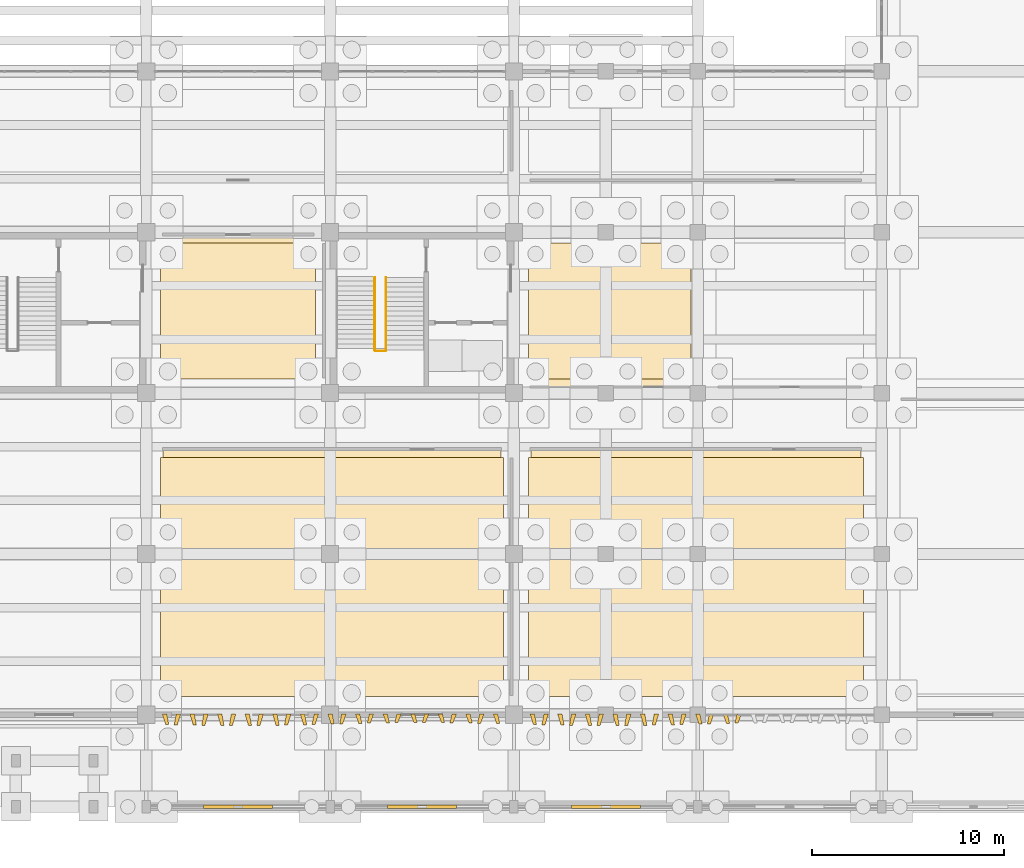
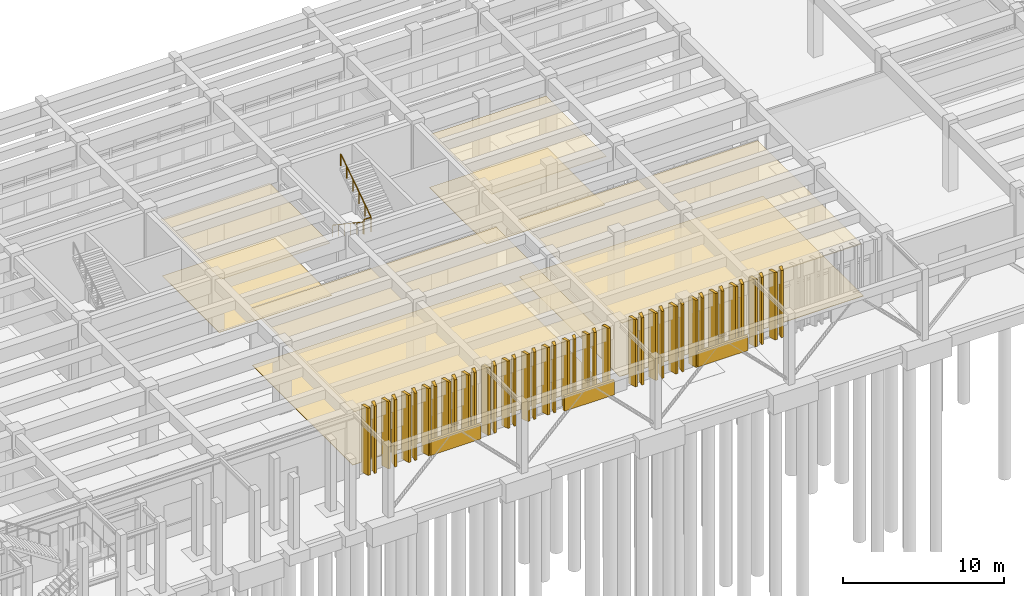
# One storey, part 92 of 102: 49 coverings, 3 railings, 3 shading devices.
"""IFC4 building model written with IfcOpenShell, lengths in metres."""

from ifc_helpers import new_model, si_unit, direction, frame, origin, origin_2d, place, context, subcontext, project, spatial, polyline, rectangle, circle, outline, extrude, material, layer, layer_set, type_object, element, save


model = new_model("IFC4")

# Units and contexts
model_context = context("Model", 3, precision=1e-05, world=origin(), true_north=direction((0.0, 1.0)))
body_context = subcontext(model_context, "Body", "Model", "MODEL_VIEW")
ifc_project = project(units=[si_unit("LENGTHUNIT", "METRE"), si_unit("AREAUNIT", "SQUARE_METRE"), si_unit("VOLUMEUNIT", "CUBIC_METRE"), si_unit("PLANEANGLEUNIT", "RADIAN"), si_unit("MASSUNIT", "GRAM", prefix="KILO")], contexts=[model_context])

# Site, building, storey
site_placement = place(None, origin())
site = spatial("IfcSite", under=ifc_project, at=site_placement, CompositionType="ELEMENT")
building_placement = place(site_placement, origin())
building = spatial("IfcBuilding", under=site, at=building_placement, Name="Kolvemor Railside Polytechnic", CompositionType="ELEMENT")
storey_placement = place(building_placement, origin())
storey = spatial("IfcBuildingStorey", under=building, at=storey_placement, Name="L00", CompositionType="ELEMENT", Elevation=0.0)

# Coverings
ifc_material_1 = material(Name="Perforated acoustic mineral-fibre and timber-slat ceiling", Category="wood")
ifc_layer_1 = layer(ifc_material_1, 0.034912109375, Name="COV-CEIL-3")
ifc_layer_set_1 = layer_set([ifc_layer_1], Name="Perforated acoustic mineral-fibre and timber-slat ceiling")
covering_type_1 = type_object("IfcCoveringType", Name="COV-CEIL-3", PredefinedType="CEILING", material=ifc_layer_set_1)
covering_1_placement = place(storey_placement, frame((0.0, 0.0, 4.0048828125)))
element("IfcCovering", 1, at=covering_1_placement, inside=storey, type_object=covering_type_1, Name="Industrial Prototyping Design Studio Acoustic Ceiling", PredefinedType="CEILING", context=body_context, shape_type="SweptSolid", body=[
    extrude(outline(polyline([(96.8798828125, 5.75), (114.52001953125, 5.75), (114.52001953125, 18.679931640625), (96.8798828125, 18.679931640625), (96.8798828125, 5.75)])), origin(), (0.0, 0.0, 1.0), 0.03515625),
])
covering_2_placement = place(storey_placement, frame((0.0, 0.0, 4.0048828125)))
element("IfcCovering", 2, at=covering_2_placement, inside=storey, type_object=covering_type_1, Name="Environmental Water Quality Laboratory Acoustic Ceiling", PredefinedType="CEILING", context=body_context, shape_type="SweptSolid", body=[
    extrude(outline(polyline([(96.8798828125, 22.35009765625), (104.719970703125, 22.35009765625), (104.719970703125, 29.8798828125), (96.8798828125, 29.8798828125), (96.8798828125, 22.35009765625)])), origin(), (0.0, 0.0, 1.0), 0.03515625),
])
ifc_material_2 = material(Name="Perforated acoustic mineral-fibre and timber-slat ceiling", Category="wood")
ifc_layer_2 = layer(ifc_material_2, 0.0400390625, Name="COV-CEIL-4")
ifc_layer_set_2 = layer_set([ifc_layer_2], Name="Perforated acoustic mineral-fibre and timber-slat ceiling")
covering_type_2 = type_object("IfcCoveringType", Name="COV-CEIL-4", PredefinedType="CEILING", material=ifc_layer_set_2)
covering_3_placement = place(storey_placement, frame((0.0, 0.0, 4.0)))
element("IfcCovering", 3, at=covering_3_placement, inside=storey, type_object=covering_type_2, Name="Architectural Modelmaking Design Studio Acoustic Ceiling", PredefinedType="CEILING", context=body_context, shape_type="SweptSolid", body=[
    extrude(outline(polyline([(116.080078125, 5.75), (133.320068359375, 5.75), (133.320068359375, 18.679931640625), (116.080078125, 18.679931640625), (116.080078125, 5.75)])), origin(), (0.0, 0.0, 1.0), 0.0400390625),
])
covering_4_placement = place(storey_placement, frame((0.0, 0.0, 4.0)))
element("IfcCovering", 4, at=covering_4_placement, inside=storey, type_object=covering_type_2, Name="Main Stack Public WC L00 Acoustic Ceiling", PredefinedType="CEILING", context=body_context, shape_type="SweptSolid", body=[
    extrude(outline(polyline([(116.080078125, 21.919921875), (124.320068359375, 21.919921875), (124.320068359375, 29.449951171875), (116.080078125, 29.449951171875), (116.080078125, 21.919921875)])), origin(), (0.0, 0.0, 1.0), 0.0400390625),
])
ifc_material_3 = material(Name="Champagne-bronze PVDF-anodised marine aluminium 5052-H32", Category="aluminium")
ifc_layer_3 = layer(ifc_material_3, 0.179931640625, Name="COV-FIN-CHAMP")
ifc_layer_set_3 = layer_set([ifc_layer_3], Name="Champagne-bronze PVDF-anodised marine aluminium 5052-H32")
covering_type_3 = type_object("IfcCoveringType", Name="COV-FIN-CHAMP", PredefinedType="CLADDING", material=ifc_layer_set_3)
covering_5_placement = place(storey_placement, frame((0.0, 0.0, 0.02001953125)))
element("IfcCovering", 5, at=covering_5_placement, inside=storey, type_object=covering_type_3, Name="Pleated Solar Fin L00-0667", PredefinedType="CLADDING", context=body_context, shape_type="SweptSolid", body=[
    extrude(outline(polyline([(96.844970703125, 4.8349609375), (97.074951171875, 4.8349609375), (97.179931640625, 4.2900390625), (97.02001953125, 4.2900390625), (96.844970703125, 4.8349609375)])), origin(), (0.0, 0.0, 1.0), 5.10009765625),
])
covering_6_placement = place(storey_placement, frame((0.0, 0.0, 0.02001953125)))
element("IfcCovering", 6, at=covering_6_placement, inside=storey, type_object=covering_type_3, Name="Pleated Solar Fin L00-0668", PredefinedType="CLADDING", context=body_context, shape_type="SweptSolid", body=[
    extrude(outline(polyline([(97.56494140625, 4.8349609375), (97.794921875, 4.8349609375), (97.6201171875, 4.27294921875), (97.4599609375, 4.27294921875), (97.56494140625, 4.8349609375)])), origin(), (0.0, 0.0, 1.0), 5.10009765625),
])
covering_7_placement = place(storey_placement, frame((0.0, 0.0, 0.02001953125)))
element("IfcCovering", 7, at=covering_7_placement, inside=storey, type_object=covering_type_3, Name="Pleated Solar Fin L00-0669", PredefinedType="CLADDING", context=body_context, shape_type="SweptSolid", body=[
    extrude(outline(polyline([(98.284912109375, 4.8349609375), (98.514892578125, 4.8349609375), (98.6201171875, 4.258056640625), (98.4599609375, 4.258056640625), (98.284912109375, 4.8349609375)])), origin(), (0.0, 0.0, 1.0), 5.10009765625),
])
covering_8_placement = place(storey_placement, frame((0.0, 0.0, 0.02001953125)))
element("IfcCovering", 8, at=covering_8_placement, inside=storey, type_object=covering_type_3, Name="Pleated Solar Fin L00-0670", PredefinedType="CLADDING", context=body_context, shape_type="SweptSolid", body=[
    extrude(outline(polyline([(99.0048828125, 4.8349609375), (99.235107421875, 4.8349609375), (99.06005859375, 4.2470703125), (98.89990234375, 4.2470703125), (99.0048828125, 4.8349609375)])), origin(), (0.0, 0.0, 1.0), 5.10009765625),
])
covering_9_placement = place(storey_placement, frame((0.0, 0.0, 0.02001953125)))
element("IfcCovering", 9, at=covering_9_placement, inside=storey, type_object=covering_type_3, Name="Pleated Solar Fin L00-0671", PredefinedType="CLADDING", context=body_context, shape_type="SweptSolid", body=[
    extrude(outline(polyline([(99.72509765625, 4.8349609375), (99.955078125, 4.8349609375), (100.06005859375, 4.239013671875), (99.89990234375, 4.239013671875), (99.72509765625, 4.8349609375)])), origin(), (0.0, 0.0, 1.0), 5.10009765625),
])
covering_10_placement = place(storey_placement, frame((0.0, 0.0, 0.02001953125)))
element("IfcCovering", 10, at=covering_10_placement, inside=storey, type_object=covering_type_3, Name="Pleated Solar Fin L00-0672", PredefinedType="CLADDING", context=body_context, shape_type="SweptSolid", body=[
    extrude(outline(polyline([(100.445068359375, 4.8349609375), (100.675048828125, 4.8349609375), (100.5, 4.235107421875), (100.340087890625, 4.235107421875), (100.445068359375, 4.8349609375)])), origin(), (0.0, 0.0, 1.0), 5.10009765625),
])
covering_11_placement = place(storey_placement, frame((0.0, 0.0, 0.02001953125)))
element("IfcCovering", 11, at=covering_11_placement, inside=storey, type_object=covering_type_3, Name="Pleated Solar Fin L00-0673", PredefinedType="CLADDING", context=body_context, shape_type="SweptSolid", body=[
    extrude(outline(polyline([(101.1650390625, 4.8349609375), (101.39501953125, 4.8349609375), (101.5, 4.236083984375), (101.340087890625, 4.236083984375), (101.1650390625, 4.8349609375)])), origin(), (0.0, 0.0, 1.0), 5.10009765625),
])
covering_12_placement = place(storey_placement, frame((0.0, 0.0, 0.02001953125)))
element("IfcCovering", 12, at=covering_12_placement, inside=storey, type_object=covering_type_3, Name="Pleated Solar Fin L00-0674", PredefinedType="CLADDING", context=body_context, shape_type="SweptSolid", body=[
    extrude(outline(polyline([(101.885009765625, 4.8349609375), (102.114990234375, 4.8349609375), (101.93994140625, 4.240966796875), (101.780029296875, 4.240966796875), (101.885009765625, 4.8349609375)])), origin(), (0.0, 0.0, 1.0), 5.10009765625),
])
covering_13_placement = place(storey_placement, frame((0.0, 0.0, 0.02001953125)))
element("IfcCovering", 13, at=covering_13_placement, inside=storey, type_object=covering_type_3, Name="Pleated Solar Fin L00-0675", PredefinedType="CLADDING", context=body_context, shape_type="SweptSolid", body=[
    extrude(outline(polyline([(102.60498046875, 4.8349609375), (102.8349609375, 4.8349609375), (102.93994140625, 4.25), (102.780029296875, 4.25), (102.60498046875, 4.8349609375)])), origin(), (0.0, 0.0, 1.0), 5.10009765625),
])
covering_14_placement = place(storey_placement, frame((0.0, 0.0, 0.02001953125)))
element("IfcCovering", 14, at=covering_14_placement, inside=storey, type_object=covering_type_3, Name="Pleated Solar Fin L00-0676", PredefinedType="CLADDING", context=body_context, shape_type="SweptSolid", body=[
    extrude(outline(polyline([(103.324951171875, 4.8349609375), (103.554931640625, 4.8349609375), (103.3798828125, 4.262939453125), (103.219970703125, 4.262939453125), (103.324951171875, 4.8349609375)])), origin(), (0.0, 0.0, 1.0), 5.10009765625),
])
covering_15_placement = place(storey_placement, frame((0.0, 0.0, 0.02001953125)))
element("IfcCovering", 15, at=covering_15_placement, inside=storey, type_object=covering_type_3, Name="Pleated Solar Fin L00-0677", PredefinedType="CLADDING", context=body_context, shape_type="SweptSolid", body=[
    extrude(outline(polyline([(104.044921875, 4.8349609375), (104.27490234375, 4.8349609375), (104.3798828125, 4.279052734375), (104.219970703125, 4.279052734375), (104.044921875, 4.8349609375)])), origin(), (0.0, 0.0, 1.0), 5.10009765625),
])
covering_16_placement = place(storey_placement, frame((0.0, 0.0, 0.02001953125)))
element("IfcCovering", 16, at=covering_16_placement, inside=storey, type_object=covering_type_3, Name="Pleated Solar Fin L00-0678", PredefinedType="CLADDING", context=body_context, shape_type="SweptSolid", body=[
    extrude(outline(polyline([(104.764892578125, 4.8349609375), (104.9951171875, 4.8349609375), (104.820068359375, 4.2958984375), (104.659912109375, 4.2958984375), (104.764892578125, 4.8349609375)])), origin(), (0.0, 0.0, 1.0), 5.10009765625),
])
covering_17_placement = place(storey_placement, frame((0.0, 0.0, 0.02001953125)))
element("IfcCovering", 17, at=covering_17_placement, inside=storey, type_object=covering_type_3, Name="Pleated Solar Fin L00-0679", PredefinedType="CLADDING", context=body_context, shape_type="SweptSolid", body=[
    extrude(outline(polyline([(105.485107421875, 4.8349609375), (105.715087890625, 4.8349609375), (105.820068359375, 4.31494140625), (105.659912109375, 4.31494140625), (105.485107421875, 4.8349609375)])), origin(), (0.0, 0.0, 1.0), 5.10009765625),
])
covering_18_placement = place(storey_placement, frame((0.0, 0.0, 0.02001953125)))
element("IfcCovering", 18, at=covering_18_placement, inside=storey, type_object=covering_type_3, Name="Pleated Solar Fin L00-0680", PredefinedType="CLADDING", context=body_context, shape_type="SweptSolid", body=[
    extrude(outline(polyline([(106.205078125, 4.8349609375), (106.43505859375, 4.8349609375), (106.260009765625, 4.333984375), (106.10009765625, 4.333984375), (106.205078125, 4.8349609375)])), origin(), (0.0, 0.0, 1.0), 5.10009765625),
])
covering_19_placement = place(storey_placement, frame((0.0, 0.0, 0.02001953125)))
element("IfcCovering", 19, at=covering_19_placement, inside=storey, type_object=covering_type_3, Name="Pleated Solar Fin L00-0681", PredefinedType="CLADDING", context=body_context, shape_type="SweptSolid", body=[
    extrude(outline(polyline([(106.925048828125, 4.8349609375), (107.155029296875, 4.8349609375), (107.260009765625, 4.35107421875), (107.10009765625, 4.35107421875), (106.925048828125, 4.8349609375)])), origin(), (0.0, 0.0, 1.0), 5.10009765625),
])
covering_20_placement = place(storey_placement, frame((0.0, 0.0, 0.02001953125)))
element("IfcCovering", 20, at=covering_20_placement, inside=storey, type_object=covering_type_3, Name="Pleated Solar Fin L00-0682", PredefinedType="CLADDING", context=body_context, shape_type="SweptSolid", body=[
    extrude(outline(polyline([(107.64501953125, 4.8349609375), (107.875, 4.8349609375), (107.699951171875, 4.366943359375), (107.5400390625, 4.366943359375), (107.64501953125, 4.8349609375)])), origin(), (0.0, 0.0, 1.0), 5.10009765625),
])
covering_21_placement = place(storey_placement, frame((0.0, 0.0, 0.02001953125)))
element("IfcCovering", 21, at=covering_21_placement, inside=storey, type_object=covering_type_3, Name="Pleated Solar Fin L00-0683", PredefinedType="CLADDING", context=body_context, shape_type="SweptSolid", body=[
    extrude(outline(polyline([(108.364990234375, 4.8349609375), (108.594970703125, 4.8349609375), (108.699951171875, 4.3798828125), (108.5400390625, 4.3798828125), (108.364990234375, 4.8349609375)])), origin(), (0.0, 0.0, 1.0), 5.10009765625),
])
covering_22_placement = place(storey_placement, frame((0.0, 0.0, 0.02001953125)))
element("IfcCovering", 22, at=covering_22_placement, inside=storey, type_object=covering_type_3, Name="Pleated Solar Fin L00-0684", PredefinedType="CLADDING", context=body_context, shape_type="SweptSolid", body=[
    extrude(outline(polyline([(109.0849609375, 4.8349609375), (109.31494140625, 4.8349609375), (109.139892578125, 4.388916015625), (108.97998046875, 4.388916015625), (109.0849609375, 4.8349609375)])), origin(), (0.0, 0.0, 1.0), 5.10009765625),
])
covering_23_placement = place(storey_placement, frame((0.0, 0.0, 0.02001953125)))
element("IfcCovering", 23, at=covering_23_placement, inside=storey, type_object=covering_type_3, Name="Pleated Solar Fin L00-0685", PredefinedType="CLADDING", context=body_context, shape_type="SweptSolid", body=[
    extrude(outline(polyline([(109.804931640625, 4.8349609375), (110.034912109375, 4.8349609375), (110.139892578125, 4.39404296875), (109.97998046875, 4.39404296875), (109.804931640625, 4.8349609375)])), origin(), (0.0, 0.0, 1.0), 5.10009765625),
])
covering_24_placement = place(storey_placement, frame((0.0, 0.0, 0.02001953125)))
element("IfcCovering", 24, at=covering_24_placement, inside=storey, type_object=covering_type_3, Name="Pleated Solar Fin L00-0686", PredefinedType="CLADDING", context=body_context, shape_type="SweptSolid", body=[
    extrude(outline(polyline([(110.52490234375, 4.8349609375), (110.7548828125, 4.8349609375), (110.580078125, 4.39501953125), (110.419921875, 4.39501953125), (110.52490234375, 4.8349609375)])), origin(), (0.0, 0.0, 1.0), 5.10009765625),
])
covering_25_placement = place(storey_placement, frame((0.0, 0.0, 0.02001953125)))
element("IfcCovering", 25, at=covering_25_placement, inside=storey, type_object=covering_type_3, Name="Pleated Solar Fin L00-0687", PredefinedType="CLADDING", context=body_context, shape_type="SweptSolid", body=[
    extrude(outline(polyline([(111.2451171875, 4.8349609375), (111.47509765625, 4.8349609375), (111.580078125, 4.39111328125), (111.419921875, 4.39111328125), (111.2451171875, 4.8349609375)])), origin(), (0.0, 0.0, 1.0), 5.10009765625),
])
covering_26_placement = place(storey_placement, frame((0.0, 0.0, 0.02001953125)))
element("IfcCovering", 26, at=covering_26_placement, inside=storey, type_object=covering_type_3, Name="Pleated Solar Fin L00-0688", PredefinedType="CLADDING", context=body_context, shape_type="SweptSolid", body=[
    extrude(outline(polyline([(111.965087890625, 4.8349609375), (112.195068359375, 4.8349609375), (112.02001953125, 4.383056640625), (111.860107421875, 4.383056640625), (111.965087890625, 4.8349609375)])), origin(), (0.0, 0.0, 1.0), 5.10009765625),
])
covering_27_placement = place(storey_placement, frame((0.0, 0.0, 0.02001953125)))
element("IfcCovering", 27, at=covering_27_placement, inside=storey, type_object=covering_type_3, Name="Pleated Solar Fin L00-0689", PredefinedType="CLADDING", context=body_context, shape_type="SweptSolid", body=[
    extrude(outline(polyline([(112.68505859375, 4.8349609375), (112.9150390625, 4.8349609375), (113.02001953125, 4.3720703125), (112.860107421875, 4.3720703125), (112.68505859375, 4.8349609375)])), origin(), (0.0, 0.0, 1.0), 5.10009765625),
])
covering_28_placement = place(storey_placement, frame((0.0, 0.0, 0.02001953125)))
element("IfcCovering", 28, at=covering_28_placement, inside=storey, type_object=covering_type_3, Name="Pleated Solar Fin L00-0690", PredefinedType="CLADDING", context=body_context, shape_type="SweptSolid", body=[
    extrude(outline(polyline([(113.405029296875, 4.8349609375), (113.635009765625, 4.8349609375), (113.4599609375, 4.35693359375), (113.300048828125, 4.35693359375), (113.405029296875, 4.8349609375)])), origin(), (0.0, 0.0, 1.0), 5.10009765625),
])
covering_29_placement = place(storey_placement, frame((0.0, 0.0, 0.02001953125)))
element("IfcCovering", 29, at=covering_29_placement, inside=storey, type_object=covering_type_3, Name="Pleated Solar Fin L00-0691", PredefinedType="CLADDING", context=body_context, shape_type="SweptSolid", body=[
    extrude(outline(polyline([(114.125, 4.8349609375), (114.35498046875, 4.8349609375), (114.4599609375, 4.340087890625), (114.300048828125, 4.340087890625), (114.125, 4.8349609375)])), origin(), (0.0, 0.0, 1.0), 5.10009765625),
])
covering_30_placement = place(storey_placement, frame((0.0, 0.0, 0.02001953125)))
element("IfcCovering", 30, at=covering_30_placement, inside=storey, type_object=covering_type_3, Name="Pleated Solar Fin L00-0692", PredefinedType="CLADDING", context=body_context, shape_type="SweptSolid", body=[
    extrude(outline(polyline([(116.044921875, 4.8349609375), (116.27490234375, 4.8349609375), (116.3798828125, 4.2900390625), (116.219970703125, 4.2900390625), (116.044921875, 4.8349609375)])), origin(), (0.0, 0.0, 1.0), 5.10009765625),
])
covering_31_placement = place(storey_placement, frame((0.0, 0.0, 0.02001953125)))
element("IfcCovering", 31, at=covering_31_placement, inside=storey, type_object=covering_type_3, Name="Pleated Solar Fin L00-0693", PredefinedType="CLADDING", context=body_context, shape_type="SweptSolid", body=[
    extrude(outline(polyline([(116.764892578125, 4.8349609375), (116.9951171875, 4.8349609375), (116.820068359375, 4.27294921875), (116.659912109375, 4.27294921875), (116.764892578125, 4.8349609375)])), origin(), (0.0, 0.0, 1.0), 5.10009765625),
])
covering_32_placement = place(storey_placement, frame((0.0, 0.0, 0.02001953125)))
element("IfcCovering", 32, at=covering_32_placement, inside=storey, type_object=covering_type_3, Name="Pleated Solar Fin L00-0694", PredefinedType="CLADDING", context=body_context, shape_type="SweptSolid", body=[
    extrude(outline(polyline([(117.485107421875, 4.8349609375), (117.715087890625, 4.8349609375), (117.820068359375, 4.258056640625), (117.659912109375, 4.258056640625), (117.485107421875, 4.8349609375)])), origin(), (0.0, 0.0, 1.0), 5.10009765625),
])
covering_33_placement = place(storey_placement, frame((0.0, 0.0, 0.02001953125)))
element("IfcCovering", 33, at=covering_33_placement, inside=storey, type_object=covering_type_3, Name="Pleated Solar Fin L00-0695", PredefinedType="CLADDING", context=body_context, shape_type="SweptSolid", body=[
    extrude(outline(polyline([(118.205078125, 4.8349609375), (118.43505859375, 4.8349609375), (118.260009765625, 4.2470703125), (118.10009765625, 4.2470703125), (118.205078125, 4.8349609375)])), origin(), (0.0, 0.0, 1.0), 5.10009765625),
])
covering_34_placement = place(storey_placement, frame((0.0, 0.0, 0.02001953125)))
element("IfcCovering", 34, at=covering_34_placement, inside=storey, type_object=covering_type_3, Name="Pleated Solar Fin L00-0696", PredefinedType="CLADDING", context=body_context, shape_type="SweptSolid", body=[
    extrude(outline(polyline([(118.925048828125, 4.8349609375), (119.155029296875, 4.8349609375), (119.260009765625, 4.239013671875), (119.10009765625, 4.239013671875), (118.925048828125, 4.8349609375)])), origin(), (0.0, 0.0, 1.0), 5.10009765625),
])
covering_35_placement = place(storey_placement, frame((0.0, 0.0, 0.02001953125)))
element("IfcCovering", 35, at=covering_35_placement, inside=storey, type_object=covering_type_3, Name="Pleated Solar Fin L00-0697", PredefinedType="CLADDING", context=body_context, shape_type="SweptSolid", body=[
    extrude(outline(polyline([(119.64501953125, 4.8349609375), (119.875, 4.8349609375), (119.699951171875, 4.235107421875), (119.5400390625, 4.235107421875), (119.64501953125, 4.8349609375)])), origin(), (0.0, 0.0, 1.0), 5.10009765625),
])
covering_36_placement = place(storey_placement, frame((0.0, 0.0, 0.02001953125)))
element("IfcCovering", 36, at=covering_36_placement, inside=storey, type_object=covering_type_3, Name="Pleated Solar Fin L00-0698", PredefinedType="CLADDING", context=body_context, shape_type="SweptSolid", body=[
    extrude(outline(polyline([(120.364990234375, 4.8349609375), (120.594970703125, 4.8349609375), (120.699951171875, 4.236083984375), (120.5400390625, 4.236083984375), (120.364990234375, 4.8349609375)])), origin(), (0.0, 0.0, 1.0), 5.10009765625),
])
covering_37_placement = place(storey_placement, frame((0.0, 0.0, 0.02001953125)))
element("IfcCovering", 37, at=covering_37_placement, inside=storey, type_object=covering_type_3, Name="Pleated Solar Fin L00-0699", PredefinedType="CLADDING", context=body_context, shape_type="SweptSolid", body=[
    extrude(outline(polyline([(121.0849609375, 4.8349609375), (121.31494140625, 4.8349609375), (121.139892578125, 4.240966796875), (120.97998046875, 4.240966796875), (121.0849609375, 4.8349609375)])), origin(), (0.0, 0.0, 1.0), 5.10009765625),
])
covering_38_placement = place(storey_placement, frame((0.0, 0.0, 0.02001953125)))
element("IfcCovering", 38, at=covering_38_placement, inside=storey, type_object=covering_type_3, Name="Pleated Solar Fin L00-0700", PredefinedType="CLADDING", context=body_context, shape_type="SweptSolid", body=[
    extrude(outline(polyline([(121.804931640625, 4.8349609375), (122.034912109375, 4.8349609375), (122.139892578125, 4.25), (121.97998046875, 4.25), (121.804931640625, 4.8349609375)])), origin(), (0.0, 0.0, 1.0), 5.10009765625),
])
covering_39_placement = place(storey_placement, frame((0.0, 0.0, 0.02001953125)))
element("IfcCovering", 39, at=covering_39_placement, inside=storey, type_object=covering_type_3, Name="Pleated Solar Fin L00-0701", PredefinedType="CLADDING", context=body_context, shape_type="SweptSolid", body=[
    extrude(outline(polyline([(122.52490234375, 4.8349609375), (122.7548828125, 4.8349609375), (122.580078125, 4.262939453125), (122.419921875, 4.262939453125), (122.52490234375, 4.8349609375)])), origin(), (0.0, 0.0, 1.0), 5.10009765625),
])
covering_40_placement = place(storey_placement, frame((0.0, 0.0, 0.02001953125)))
element("IfcCovering", 40, at=covering_40_placement, inside=storey, type_object=covering_type_3, Name="Pleated Solar Fin L00-0702", PredefinedType="CLADDING", context=body_context, shape_type="SweptSolid", body=[
    extrude(outline(polyline([(123.2451171875, 4.8349609375), (123.47509765625, 4.8349609375), (123.580078125, 4.279052734375), (123.419921875, 4.279052734375), (123.2451171875, 4.8349609375)])), origin(), (0.0, 0.0, 1.0), 5.10009765625),
])
covering_41_placement = place(storey_placement, frame((0.0, 0.0, 0.02001953125)))
element("IfcCovering", 41, at=covering_41_placement, inside=storey, type_object=covering_type_3, Name="Pleated Solar Fin L00-0703", PredefinedType="CLADDING", context=body_context, shape_type="SweptSolid", body=[
    extrude(outline(polyline([(123.965087890625, 4.8349609375), (124.195068359375, 4.8349609375), (124.02001953125, 4.2958984375), (123.860107421875, 4.2958984375), (123.965087890625, 4.8349609375)])), origin(), (0.0, 0.0, 1.0), 5.10009765625),
])
covering_42_placement = place(storey_placement, frame((0.0, 0.0, 0.02001953125)))
element("IfcCovering", 42, at=covering_42_placement, inside=storey, type_object=covering_type_3, Name="Pleated Solar Fin L00-0704", PredefinedType="CLADDING", context=body_context, shape_type="SweptSolid", body=[
    extrude(outline(polyline([(124.68505859375, 4.8349609375), (124.9150390625, 4.8349609375), (125.02001953125, 4.31494140625), (124.860107421875, 4.31494140625), (124.68505859375, 4.8349609375)])), origin(), (0.0, 0.0, 1.0), 5.10009765625),
])
covering_43_placement = place(storey_placement, frame((0.0, 0.0, 0.02001953125)))
element("IfcCovering", 43, at=covering_43_placement, inside=storey, type_object=covering_type_3, Name="Pleated Solar Fin L00-0705", PredefinedType="CLADDING", context=body_context, shape_type="SweptSolid", body=[
    extrude(outline(polyline([(125.405029296875, 4.8349609375), (125.635009765625, 4.8349609375), (125.4599609375, 4.333984375), (125.300048828125, 4.333984375), (125.405029296875, 4.8349609375)])), origin(), (0.0, 0.0, 1.0), 5.10009765625),
])
covering_44_placement = place(storey_placement, frame((0.0, 0.0, 0.02001953125)))
element("IfcCovering", 44, at=covering_44_placement, inside=storey, type_object=covering_type_3, Name="Pleated Solar Fin L00-0706", PredefinedType="CLADDING", context=body_context, shape_type="SweptSolid", body=[
    extrude(outline(polyline([(126.125, 4.8349609375), (126.35498046875, 4.8349609375), (126.4599609375, 4.35107421875), (126.300048828125, 4.35107421875), (126.125, 4.8349609375)])), origin(), (0.0, 0.0, 1.0), 5.10009765625),
])
covering_45_placement = place(storey_placement, frame((0.0, 0.0, 0.02001953125)))
element("IfcCovering", 45, at=covering_45_placement, inside=storey, type_object=covering_type_3, Name="Pleated Solar Fin L00-0707", PredefinedType="CLADDING", context=body_context, shape_type="SweptSolid", body=[
    extrude(outline(polyline([(126.844970703125, 4.8349609375), (127.074951171875, 4.8349609375), (126.89990234375, 4.366943359375), (126.739990234375, 4.366943359375), (126.844970703125, 4.8349609375)])), origin(), (0.0, 0.0, 1.0), 5.10009765625),
])
ifc_material_4 = material(Name="Polished coral-aggregate terrazzo and laboratory epoxy flooring")
ifc_layer_4 = layer(ifc_material_4, 0.030029296875, Name="COV-FLR-3")
ifc_layer_set_4 = layer_set([ifc_layer_4], Name="Polished coral-aggregate terrazzo and laboratory epoxy flooring")
covering_type_4 = type_object("IfcCoveringType", Name="COV-FLR-3", PredefinedType="FLOORING", material=ifc_layer_set_4)
covering_46_placement = place(storey_placement, origin())
element("IfcCovering", 46, at=covering_46_placement, inside=storey, type_object=covering_type_4, Name="Industrial Prototyping Design Studio Floor Finish", PredefinedType="FLOORING", context=body_context, shape_type="SweptSolid", body=[
    extrude(outline(polyline([(96.75, 5.75), (114.64990234375, 5.75), (114.64990234375, 18.25), (96.75, 18.25), (96.75, 5.75)])), origin(), (0.0, 0.0, 1.0), 0.030029296875),
])
covering_47_placement = place(storey_placement, origin())
element("IfcCovering", 47, at=covering_47_placement, inside=storey, type_object=covering_type_4, Name="Environmental Water Quality Laboratory Floor Finish", PredefinedType="FLOORING", context=body_context, shape_type="SweptSolid", body=[
    extrude(outline(polyline([(96.75, 22.35009765625), (104.85009765625, 22.35009765625), (104.85009765625, 29.449951171875), (96.75, 29.449951171875), (96.75, 22.35009765625)])), origin(), (0.0, 0.0, 1.0), 0.030029296875),
])
ifc_material_5 = material(Name="Polished coral-aggregate terrazzo and laboratory epoxy flooring")
ifc_layer_5 = layer(ifc_material_5, 0.034912109375, Name="COV-FLR-4")
ifc_layer_set_5 = layer_set([ifc_layer_5], Name="Polished coral-aggregate terrazzo and laboratory epoxy flooring")
covering_type_5 = type_object("IfcCoveringType", Name="COV-FLR-4", PredefinedType="FLOORING", material=ifc_layer_set_5)
covering_48_placement = place(storey_placement, origin())
element("IfcCovering", 48, at=covering_48_placement, inside=storey, type_object=covering_type_5, Name="Architectural Modelmaking Design Studio Floor Finish", PredefinedType="FLOORING", context=body_context, shape_type="SweptSolid", body=[
    extrude(outline(polyline([(115.949951171875, 5.75), (133.449951171875, 5.75), (133.449951171875, 18.25), (115.949951171875, 18.25), (115.949951171875, 5.75)])), origin(), (0.0, 0.0, 1.0), 0.034912109375),
])
covering_49_placement = place(storey_placement, origin())
element("IfcCovering", 49, at=covering_49_placement, inside=storey, type_object=covering_type_5, Name="Main Stack Public WC L00 Floor Finish", PredefinedType="FLOORING", context=body_context, shape_type="SweptSolid", body=[
    extrude(outline(polyline([(115.949951171875, 22.35009765625), (124.449951171875, 22.35009765625), (124.449951171875, 29.449951171875), (115.949951171875, 29.449951171875), (115.949951171875, 22.35009765625)])), origin(), (0.0, 0.0, 1.0), 0.034912109375),
])

# Railings
ifc_material_6 = material(Name="AISI 316 marine stainless-steel balustrade guard", Category="steel")
railing_type_1 = type_object("IfcRailingType", Name="RLG-GUARD-1120", PredefinedType="BALUSTRADE", material=ifc_material_6)
railing_1_placement = place(storey_placement, frame((107.97998046875, 23.800048828125, 2.699951171875)))
element("IfcRailing", 50, at=railing_1_placement, inside=storey, type_object=railing_type_1, Name="ST-2 Half-Landing Slot Guard L00", PredefinedType="BALUSTRADE", context=body_context, shape_type="SweptSolid", body=[
    extrude(circle(Radius=0.02392578125, at=origin_2d()), frame((0.054931640625, 0.0, 1.09619140625), z_axis=(1.0, 0.0, 0.0), x_axis=(0.0, 1.0, 0.0)), (0.0, 0.0, 1.0), 0.389892578125),
    extrude(circle(Radius=0.02099609375, at=origin_2d()), origin(), (0.0, 0.0, 1.0), 1.05712890625),
    extrude(circle(Radius=0.02099609375, at=origin_2d()), frame((0.5, 0.0, 0.0)), (0.0, 0.0, 1.0), 1.05712890625),
])
ifc_material_7 = material(Name="Brushed AISI 316 stainless-steel stair handrail", Category="steel")
railing_type_2 = type_object("IfcRailingType", Name="RLG-HANDRAIL-920", PredefinedType="HANDRAIL", material=ifc_material_7)
railing_2_placement = place(storey_placement, frame((107.93994140625, 27.6201171875, 0.168701171875)))
element("IfcRailing", 51, at=railing_2_placement, inside=storey, type_object=railing_type_2, Name="ST-2 Flight 1 Handrail L00", PredefinedType="HANDRAIL", context=body_context, shape_type="SweptSolid", body=[
    extrude(circle(Radius=0.02392578125, at=origin_2d()), frame((0.0, -0.045654296875, 0.926513671875), z_axis=(0.0, -0.830909170722, 0.55640807867), x_axis=(1.0, 0.0, 0.0)), (0.0, 0.0, 1.0), 4.439208984375),
    extrude(circle(Radius=0.02099609375, at=origin_2d()), origin(), (0.0, 0.0, 1.0), 0.85693359375),
    extrude(circle(Radius=0.02099609375, at=origin_2d()), frame((0.0, -0.756103515625, 0.50634765625)), (0.0, 0.0, 1.0), 0.85693359375),
    extrude(circle(Radius=0.02099609375, at=origin_2d()), frame((0.0, -1.511962890625, 1.012451171875)), (0.0, 0.0, 1.0), 0.85693359375),
    extrude(circle(Radius=0.02099609375, at=origin_2d()), frame((0.0, -2.26806640625, 1.518798828125)), (0.0, 0.0, 1.0), 0.85693359375),
    extrude(circle(Radius=0.02099609375, at=origin_2d()), frame((0.0, -3.02392578125, 2.02490234375)), (0.0, 0.0, 1.0), 0.85693359375),
    extrude(circle(Radius=0.02099609375, at=origin_2d()), frame((0.0, -3.780029296875, 2.53125)), (0.0, 0.0, 1.0), 0.85693359375),
])
railing_3_placement = place(storey_placement, frame((108.52001953125, 23.840087890625, 2.86865234375)))
element("IfcRailing", 52, at=railing_3_placement, inside=storey, type_object=railing_type_2, Name="ST-2 Flight 2 Handrail L00", PredefinedType="HANDRAIL", context=body_context, shape_type="SweptSolid", body=[
    extrude(circle(Radius=0.02392578125, at=origin_2d()), frame((0.0, 0.045654296875, 0.926513671875), z_axis=(0.0, 0.830909170722, 0.55640807867), x_axis=(-1.0, 0.0, 0.0)), (0.0, 0.0, 1.0), 4.439208984375),
    extrude(circle(Radius=0.02099609375, at=origin_2d()), origin(), (0.0, 0.0, 1.0), 0.85693359375),
    extrude(circle(Radius=0.02099609375, at=origin_2d()), frame((0.0, 0.756103515625, 0.50634765625)), (0.0, 0.0, 1.0), 0.85693359375),
    extrude(circle(Radius=0.02099609375, at=origin_2d()), frame((0.0, 1.511962890625, 1.012451171875)), (0.0, 0.0, 1.0), 0.85693359375),
    extrude(circle(Radius=0.02099609375, at=origin_2d()), frame((0.0, 2.26806640625, 1.518798828125)), (0.0, 0.0, 1.0), 0.85693359375),
    extrude(circle(Radius=0.02099609375, at=origin_2d()), frame((0.0, 3.02392578125, 2.02490234375)), (0.0, 0.0, 1.0), 0.85693359375),
    extrude(circle(Radius=0.02099609375, at=origin_2d()), frame((0.0, 3.780029296875, 2.53125)), (0.0, 0.0, 1.0), 0.85693359375),
])

# Shading devices
ifc_material_8 = material(Name="Champagne-bronze PVDF-anodised hurricane storm louvre")
shading_device_type = type_object("IfcShadingDeviceType", Name="SHD-LOUVRE-STORM", PredefinedType="JALOUSIE", material=ifc_material_8)
for number, where, z_axis, x_axis, name in (
    (53, (100.800048828125, 0.0, 3.5), (0.0, 0.0, 1.0), (1.0, 0.0, 0.0), "Hurricane Storm Louvre SLV-08"),
    (54, (110.39990234375, 0.0, 3.5), (0.0, 0.0, 1.0), (1.0, 0.0, 0.0), "Hurricane Storm Louvre SLV-09"),
    (55, (120.0, 0.0, 3.5), (0.0, 0.0, 1.0), (1.0, 0.0, 0.0), "Hurricane Storm Louvre SLV-10"),
):
    element("IfcShadingDevice", number, at=place(storey_placement, frame(where, z_axis=z_axis, x_axis=x_axis)), inside=storey, type_object=shading_device_type, Name=name, PredefinedType="JALOUSIE", context=body_context, shape_type="SweptSolid", body=[
        extrude(rectangle(XDim=3.60009765625, YDim=0.179931640625, at=origin_2d()), origin(), (0.0, 0.0, 1.0), 1.10009765625),
    ])

save(model, "model.ifc")
